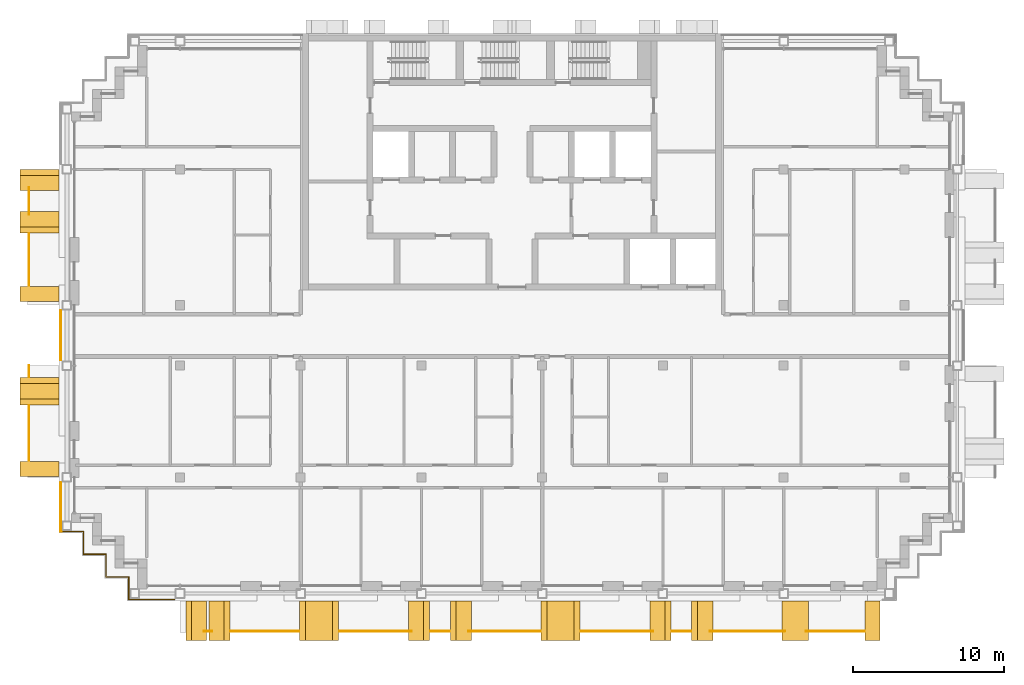
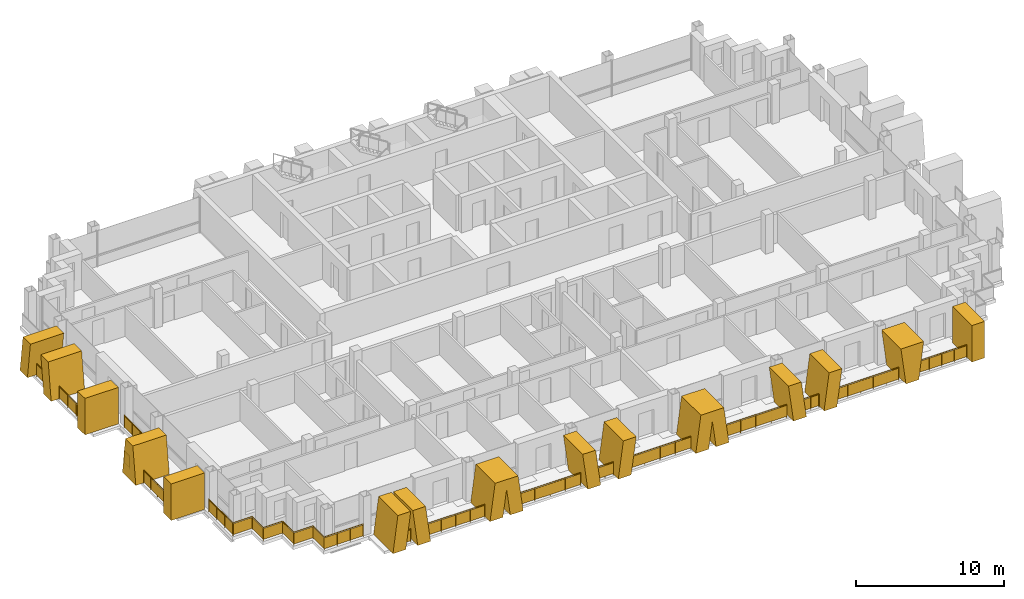
# One storey, part 12 of 15: 16 railings, 15 shading devices.
"""IFC4 building model written with IfcOpenShell, lengths in metres."""

from ifc_helpers import new_model, si_unit, direction, frame, origin, origin_2d, place, context, subcontext, project, spatial, polyline, rectangle, circle, outline, extrude, material, layer, layer_set, type_object, element, save


model = new_model("IFC4")

# Units and contexts
model_context = context("Model", 3, precision=1e-05, world=origin(), true_north=direction((0.0, 1.0)))
body_context = subcontext(model_context, "Body", "Model", "MODEL_VIEW")
ifc_project = project(units=[si_unit("LENGTHUNIT", "METRE"), si_unit("AREAUNIT", "SQUARE_METRE"), si_unit("VOLUMEUNIT", "CUBIC_METRE"), si_unit("PLANEANGLEUNIT", "RADIAN"), si_unit("MASSUNIT", "GRAM", prefix="KILO")], contexts=[model_context])

# Site, building, storey
site_placement = place(None, origin())
site = spatial("IfcSite", under=ifc_project, at=site_placement, CompositionType="ELEMENT")
building_placement = place(site_placement, origin())
building = spatial("IfcBuilding", under=site, at=building_placement, Name="Vidyagriha Tower", CompositionType="ELEMENT")
storey_placement = place(building_placement, frame((0.0, 0.0, 233.199951171875)))
storey = spatial("IfcBuildingStorey", under=building, at=storey_placement, Name="L61", CompositionType="ELEMENT", Elevation=233.199951171875)

# Railings
ifc_material_1 = material(Name="Steel ASTM A500 Grade C black painted", Category="steel")
railing_type_1 = type_object("IfcRailingType", Name="Balcony guard 1100", PredefinedType="BALUSTRADE", material=ifc_material_1)
railing_1_placement = place(storey_placement, frame((-32.0, 9.796630859375, 0.0)))
element("IfcRailing", 1, at=railing_1_placement, inside=storey, type_object=railing_type_1, Name="Balcony guard L61 R16.1-1", PredefinedType="BALUSTRADE", context=body_context, shape_type="SweptSolid", body=[
    extrude(circle(Radius=0.02490234375, at=origin_2d()), frame((0.0, 0.0, 1.0751953125), z_axis=(0.0, -1.0, 0.0), x_axis=(1.0, 0.0, 0.0)), (0.0, 0.0, 1.0), 1.793212890625),
    extrude(circle(Radius=0.02001953125, at=origin_2d()), origin(), (0.0, 0.0, 1.0), 1.050048828125),
    extrude(circle(Radius=0.02001953125, at=origin_2d()), frame((0.0, -0.896484375, 0.0)), (0.0, 0.0, 1.0), 1.050048828125),
    extrude(circle(Radius=0.02001953125, at=origin_2d()), frame((0.0, -1.793212890625, 0.0)), (0.0, 0.0, 1.0), 1.050048828125),
    extrude(rectangle(XDim=0.010009765625, YDim=0.900146484375, at=origin_2d()), frame((0.0, 0.0, 0.550048828125), z_axis=(0.0, -1.0, 0.0), x_axis=(1.0, 0.0, 0.0)), (0.0, 0.0, 1.0), 1.793212890625),
])
railing_2_placement = place(storey_placement, frame((-32.0, 6.75, 0.0)))
element("IfcRailing", 2, at=railing_2_placement, inside=storey, type_object=railing_type_1, Name="Balcony guard L61 R16.1-2", PredefinedType="BALUSTRADE", context=body_context, shape_type="SweptSolid", body=[
    extrude(circle(Radius=0.02490234375, at=origin_2d()), frame((0.0, 0.0, 1.0751953125), z_axis=(0.0, -1.0, 0.0), x_axis=(1.0, 0.0, 0.0)), (0.0, 0.0, 1.0), 3.449951171875),
    extrude(circle(Radius=0.02001953125, at=origin_2d()), origin(), (0.0, 0.0, 1.0), 1.050048828125),
    extrude(circle(Radius=0.02001953125, at=origin_2d()), frame((0.0, -1.14990234375, 0.0)), (0.0, 0.0, 1.0), 1.050048828125),
    extrude(circle(Radius=0.02001953125, at=origin_2d()), frame((0.0, -2.300048828125, 0.0)), (0.0, 0.0, 1.0), 1.050048828125),
    extrude(circle(Radius=0.02001953125, at=origin_2d()), frame((0.0, -3.449951171875, 0.0)), (0.0, 0.0, 1.0), 1.050048828125),
    extrude(rectangle(XDim=0.010009765625, YDim=0.900146484375, at=origin_2d()), frame((0.0, 0.0, 0.550048828125), z_axis=(0.0, -1.0, 0.0), x_axis=(1.0, 0.0, 0.0)), (0.0, 0.0, 1.0), 3.449951171875),
])
railing_3_placement = place(storey_placement, frame((-32.0, -2.0, 0.0)))
element("IfcRailing", 3, at=railing_3_placement, inside=storey, type_object=railing_type_1, Name="Balcony guard L61 R16.2-1", PredefinedType="BALUSTRADE", context=body_context, shape_type="SweptSolid", body=[
    extrude(circle(Radius=0.02490234375, at=origin_2d()), frame((0.0, 0.0, 1.0751953125), z_axis=(0.0, -1.0, 0.0), x_axis=(1.0, 0.0, 0.0)), (0.0, 0.0, 1.0), 0.75),
    extrude(circle(Radius=0.02001953125, at=origin_2d()), origin(), (0.0, 0.0, 1.0), 1.050048828125),
    extrude(circle(Radius=0.02001953125, at=origin_2d()), frame((0.0, -0.75, 0.0)), (0.0, 0.0, 1.0), 1.050048828125),
    extrude(rectangle(XDim=0.010009765625, YDim=0.900146484375, at=origin_2d()), frame((0.0, 0.0, 0.550048828125), z_axis=(0.0, -1.0, 0.0), x_axis=(1.0, 0.0, 0.0)), (0.0, 0.0, 1.0), 0.75),
])
railing_4_placement = place(storey_placement, frame((-32.0, -4.64990234375, 0.0)))
element("IfcRailing", 4, at=railing_4_placement, inside=storey, type_object=railing_type_1, Name="Balcony guard L61 R16.2-2", PredefinedType="BALUSTRADE", context=body_context, shape_type="SweptSolid", body=[
    extrude(circle(Radius=0.02490234375, at=origin_2d()), frame((0.0, 0.0, 1.0751953125), z_axis=(0.0, -1.0, 0.0), x_axis=(1.0, 0.0, 0.0)), (0.0, 0.0, 1.0), 3.650146484375),
    extrude(circle(Radius=0.02001953125, at=origin_2d()), origin(), (0.0, 0.0, 1.0), 1.050048828125),
    extrude(circle(Radius=0.02001953125, at=origin_2d()), frame((0.0, -0.91259765625, 0.0)), (0.0, 0.0, 1.0), 1.050048828125),
    extrude(circle(Radius=0.02001953125, at=origin_2d()), frame((0.0, -1.8251953125, 0.0)), (0.0, 0.0, 1.0), 1.050048828125),
    extrude(circle(Radius=0.02001953125, at=origin_2d()), frame((0.0, -2.737548828125, 0.0)), (0.0, 0.0, 1.0), 1.050048828125),
    extrude(circle(Radius=0.02001953125, at=origin_2d()), frame((0.0, -3.650146484375, 0.0)), (0.0, 0.0, 1.0), 1.050048828125),
    extrude(rectangle(XDim=0.010009765625, YDim=0.900146484375, at=origin_2d()), frame((0.0, 0.0, 0.550048828125), z_axis=(0.0, -1.0, 0.0), x_axis=(1.0, 0.0, 0.0)), (0.0, 0.0, 1.0), 3.650146484375),
])
railing_5_placement = place(storey_placement, frame((-20.41650390625, -19.60009765625, 0.0)))
element("IfcRailing", 5, at=railing_5_placement, inside=storey, type_object=railing_type_1, Name="Balcony guard L61 R23.1-1", PredefinedType="BALUSTRADE", context=body_context, shape_type="SweptSolid", body=[
    extrude(circle(Radius=0.02490234375, at=origin_2d()), frame((0.0, 0.0, 1.0751953125), z_axis=(1.0, 0.0, 0.0), x_axis=(0.0, 1.0, 0.0)), (0.0, 0.0, 1.0), 0.532958984375),
    extrude(circle(Radius=0.02001953125, at=origin_2d()), origin(), (0.0, 0.0, 1.0), 1.050048828125),
    extrude(circle(Radius=0.02001953125, at=origin_2d()), frame((0.532958984375, 0.0, 0.0)), (0.0, 0.0, 1.0), 1.050048828125),
    extrude(rectangle(XDim=0.010009765625, YDim=0.900146484375, at=origin_2d()), frame((0.0, 0.0, 0.550048828125), z_axis=(1.0, 0.0, 0.0), x_axis=(0.0, 1.0, 0.0)), (0.0, 0.0, 1.0), 0.532958984375),
])
railing_6_placement = place(storey_placement, frame((-18.6357421875, -19.60009765625, 0.0)))
element("IfcRailing", 6, at=railing_6_placement, inside=storey, type_object=railing_type_1, Name="Balcony guard L61 R23.1-2", PredefinedType="BALUSTRADE", context=body_context, shape_type="SweptSolid", body=[
    extrude(circle(Radius=0.02490234375, at=origin_2d()), frame((0.0, 0.0, 1.0751953125), z_axis=(1.0, 0.0, 0.0), x_axis=(0.0, 1.0, 0.0)), (0.0, 0.0, 1.0), 4.520751953125),
    extrude(circle(Radius=0.02001953125, at=origin_2d()), origin(), (0.0, 0.0, 1.0), 1.050048828125),
    extrude(circle(Radius=0.02001953125, at=origin_2d()), frame((1.130126953125, 0.0, 0.0)), (0.0, 0.0, 1.0), 1.050048828125),
    extrude(circle(Radius=0.02001953125, at=origin_2d()), frame((2.26025390625, 0.0, 0.0)), (0.0, 0.0, 1.0), 1.050048828125),
    extrude(circle(Radius=0.02001953125, at=origin_2d()), frame((3.390625, 0.0, 0.0)), (0.0, 0.0, 1.0), 1.050048828125),
    extrude(circle(Radius=0.02001953125, at=origin_2d()), frame((4.520751953125, 0.0, 0.0)), (0.0, 0.0, 1.0), 1.050048828125),
    extrude(rectangle(XDim=0.010009765625, YDim=0.900146484375, at=origin_2d()), frame((0.0, 0.0, 0.550048828125), z_axis=(1.0, 0.0, 0.0), x_axis=(0.0, 1.0, 0.0)), (0.0, 0.0, 1.0), 4.520751953125),
])
railing_7_placement = place(storey_placement, frame((-11.43505859375, -19.60009765625, 0.0)))
element("IfcRailing", 7, at=railing_7_placement, inside=storey, type_object=railing_type_1, Name="Balcony guard L61 R23.1-3", PredefinedType="BALUSTRADE", context=body_context, shape_type="SweptSolid", body=[
    extrude(circle(Radius=0.02490234375, at=origin_2d()), frame((0.0, 0.0, 1.0751953125), z_axis=(1.0, 0.0, 0.0), x_axis=(0.0, 1.0, 0.0)), (0.0, 0.0, 1.0), 4.773681640625),
    extrude(circle(Radius=0.02001953125, at=origin_2d()), origin(), (0.0, 0.0, 1.0), 1.050048828125),
    extrude(circle(Radius=0.02001953125, at=origin_2d()), frame((1.193359375, 0.0, 0.0)), (0.0, 0.0, 1.0), 1.050048828125),
    extrude(circle(Radius=0.02001953125, at=origin_2d()), frame((2.38671875, 0.0, 0.0)), (0.0, 0.0, 1.0), 1.050048828125),
    extrude(circle(Radius=0.02001953125, at=origin_2d()), frame((3.580322265625, 0.0, 0.0)), (0.0, 0.0, 1.0), 1.050048828125),
    extrude(circle(Radius=0.02001953125, at=origin_2d()), frame((4.773681640625, 0.0, 0.0)), (0.0, 0.0, 1.0), 1.050048828125),
    extrude(rectangle(XDim=0.010009765625, YDim=0.900146484375, at=origin_2d()), frame((0.0, 0.0, 0.550048828125), z_axis=(1.0, 0.0, 0.0), x_axis=(0.0, 1.0, 0.0)), (0.0, 0.0, 1.0), 4.773681640625),
])
railing_8_placement = place(storey_placement, frame((-5.409912109375, -19.60009765625, 0.0)))
element("IfcRailing", 8, at=railing_8_placement, inside=storey, type_object=railing_type_1, Name="Balcony guard L61 R23.1-4", PredefinedType="BALUSTRADE", context=body_context, shape_type="SweptSolid", body=[
    extrude(circle(Radius=0.02490234375, at=origin_2d()), frame((0.0, 0.0, 1.0751953125), z_axis=(1.0, 0.0, 0.0), x_axis=(0.0, 1.0, 0.0)), (0.0, 0.0, 1.0), 1.27001953125),
    extrude(circle(Radius=0.02001953125, at=origin_2d()), origin(), (0.0, 0.0, 1.0), 1.050048828125),
    extrude(circle(Radius=0.02001953125, at=origin_2d()), frame((0.635009765625, 0.0, 0.0)), (0.0, 0.0, 1.0), 1.050048828125),
    extrude(circle(Radius=0.02001953125, at=origin_2d()), frame((1.27001953125, 0.0, 0.0)), (0.0, 0.0, 1.0), 1.050048828125),
    extrude(rectangle(XDim=0.010009765625, YDim=0.900146484375, at=origin_2d()), frame((0.0, 0.0, 0.550048828125), z_axis=(1.0, 0.0, 0.0), x_axis=(0.0, 1.0, 0.0)), (0.0, 0.0, 1.0), 1.27001953125),
])
for number, where, name in (
    (9, (-2.888671875, -19.60009765625, 0.0), "Balcony guard L61 R23.1-5"),
    (10, (4.56494140625, -19.60009765625, 0.0), "Balcony guard L61 R23.1-6"),
):
    element("IfcRailing", number, at=place(storey_placement, frame(where)), inside=storey, type_object=railing_type_1, Name=name, PredefinedType="BALUSTRADE", context=body_context, shape_type="SweptSolid", body=[
        extrude(circle(Radius=0.02490234375, at=origin_2d()), frame((0.0, 0.0, 1.0751953125), z_axis=(1.0, 0.0, 0.0), x_axis=(0.0, 1.0, 0.0)), (0.0, 0.0, 1.0), 4.773681640625),
        extrude(circle(Radius=0.02001953125, at=origin_2d()), origin(), (0.0, 0.0, 1.0), 1.050048828125),
        extrude(circle(Radius=0.02001953125, at=origin_2d()), frame((1.193359375, 0.0, 0.0)), (0.0, 0.0, 1.0), 1.050048828125),
        extrude(circle(Radius=0.02001953125, at=origin_2d()), frame((2.38671875, 0.0, 0.0)), (0.0, 0.0, 1.0), 1.050048828125),
        extrude(circle(Radius=0.02001953125, at=origin_2d()), frame((3.580322265625, 0.0, 0.0)), (0.0, 0.0, 1.0), 1.050048828125),
        extrude(circle(Radius=0.02001953125, at=origin_2d()), frame((4.773681640625, 0.0, 0.0)), (0.0, 0.0, 1.0), 1.050048828125),
        extrude(rectangle(XDim=0.010009765625, YDim=0.900146484375, at=origin_2d()), frame((0.0, 0.0, 0.550048828125), z_axis=(1.0, 0.0, 0.0), x_axis=(0.0, 1.0, 0.0)), (0.0, 0.0, 1.0), 4.773681640625),
    ])
railing_9_placement = place(storey_placement, frame((10.590087890625, -19.60009765625, 0.0)))
element("IfcRailing", 11, at=railing_9_placement, inside=storey, type_object=railing_type_1, Name="Balcony guard L61 R23.1-7", PredefinedType="BALUSTRADE", context=body_context, shape_type="SweptSolid", body=[
    extrude(circle(Radius=0.02490234375, at=origin_2d()), frame((0.0, 0.0, 1.0751953125), z_axis=(1.0, 0.0, 0.0), x_axis=(0.0, 1.0, 0.0)), (0.0, 0.0, 1.0), 1.27001953125),
    extrude(circle(Radius=0.02001953125, at=origin_2d()), origin(), (0.0, 0.0, 1.0), 1.050048828125),
    extrude(circle(Radius=0.02001953125, at=origin_2d()), frame((0.635009765625, 0.0, 0.0)), (0.0, 0.0, 1.0), 1.050048828125),
    extrude(circle(Radius=0.02001953125, at=origin_2d()), frame((1.27001953125, 0.0, 0.0)), (0.0, 0.0, 1.0), 1.050048828125),
    extrude(rectangle(XDim=0.010009765625, YDim=0.900146484375, at=origin_2d()), frame((0.0, 0.0, 0.550048828125), z_axis=(1.0, 0.0, 0.0), x_axis=(0.0, 1.0, 0.0)), (0.0, 0.0, 1.0), 1.27001953125),
])
railing_10_placement = place(storey_placement, frame((13.111328125, -19.60009765625, 0.0)))
element("IfcRailing", 12, at=railing_10_placement, inside=storey, type_object=railing_type_1, Name="Balcony guard L61 R23.1-8", PredefinedType="BALUSTRADE", context=body_context, shape_type="SweptSolid", body=[
    extrude(circle(Radius=0.02490234375, at=origin_2d()), frame((0.0, 0.0, 1.0751953125), z_axis=(1.0, 0.0, 0.0), x_axis=(0.0, 1.0, 0.0)), (0.0, 0.0, 1.0), 4.967529296875),
    extrude(circle(Radius=0.02001953125, at=origin_2d()), origin(), (0.0, 0.0, 1.0), 1.050048828125),
    extrude(circle(Radius=0.02001953125, at=origin_2d()), frame((0.993408203125, 0.0, 0.0)), (0.0, 0.0, 1.0), 1.050048828125),
    extrude(circle(Radius=0.02001953125, at=origin_2d()), frame((1.987060546875, 0.0, 0.0)), (0.0, 0.0, 1.0), 1.050048828125),
    extrude(circle(Radius=0.02001953125, at=origin_2d()), frame((2.98046875, 0.0, 0.0)), (0.0, 0.0, 1.0), 1.050048828125),
    extrude(circle(Radius=0.02001953125, at=origin_2d()), frame((3.97412109375, 0.0, 0.0)), (0.0, 0.0, 1.0), 1.050048828125),
    extrude(circle(Radius=0.02001953125, at=origin_2d()), frame((4.967529296875, 0.0, 0.0)), (0.0, 0.0, 1.0), 1.050048828125),
    extrude(rectangle(XDim=0.010009765625, YDim=0.900146484375, at=origin_2d()), frame((0.0, 0.0, 0.550048828125), z_axis=(1.0, 0.0, 0.0), x_axis=(0.0, 1.0, 0.0)), (0.0, 0.0, 1.0), 4.967529296875),
])
railing_11_placement = place(storey_placement, frame((19.47119140625, -19.60009765625, 0.0)))
element("IfcRailing", 13, at=railing_11_placement, inside=storey, type_object=railing_type_1, Name="Balcony guard L61 R23.1-9", PredefinedType="BALUSTRADE", context=body_context, shape_type="SweptSolid", body=[
    extrude(circle(Radius=0.02490234375, at=origin_2d()), frame((0.0, 0.0, 1.0751953125), z_axis=(1.0, 0.0, 0.0), x_axis=(0.0, 1.0, 0.0)), (0.0, 0.0, 1.0), 3.87890625),
    extrude(circle(Radius=0.02001953125, at=origin_2d()), origin(), (0.0, 0.0, 1.0), 1.050048828125),
    extrude(circle(Radius=0.02001953125, at=origin_2d()), frame((0.9697265625, 0.0, 0.0)), (0.0, 0.0, 1.0), 1.050048828125),
    extrude(circle(Radius=0.02001953125, at=origin_2d()), frame((1.939453125, 0.0, 0.0)), (0.0, 0.0, 1.0), 1.050048828125),
    extrude(circle(Radius=0.02001953125, at=origin_2d()), frame((2.9091796875, 0.0, 0.0)), (0.0, 0.0, 1.0), 1.050048828125),
    extrude(circle(Radius=0.02001953125, at=origin_2d()), frame((3.87890625, 0.0, 0.0)), (0.0, 0.0, 1.0), 1.050048828125),
    extrude(rectangle(XDim=0.010009765625, YDim=0.900146484375, at=origin_2d()), frame((0.0, 0.0, 0.550048828125), z_axis=(1.0, 0.0, 0.0), x_axis=(0.0, 1.0, 0.0)), (0.0, 0.0, 1.0), 3.87890625),
])

# Shading devices
ifc_material_2 = material(Name="Precast concrete C40/50 with buff brick facing", Category="concrete")
ifc_layer_1 = layer(ifc_material_2, 1.0)
ifc_layer_set_1 = layer_set([ifc_layer_1], Name="Precast concrete C40/50 with buff brick facing")
shading_device_type_1 = type_object("IfcShadingDeviceType", Name="Brick-faced blade fin arm leaning 8 degrees", PredefinedType="USERDEFINED", material=ifc_layer_set_1)
shading_device_1_placement = place(storey_placement, frame((-31.300048828125, 8.199951171875, 0.0), z_axis=(0.0, 0.0, 1.0), x_axis=(0.0, -1.0, 0.0)))
element("IfcShadingDevice", 14, at=shading_device_1_placement, inside=storey, type_object=shading_device_type_1, Name="Leaning blade fin L61 R16.320a", ObjectType="BLADE FIN", PredefinedType="USERDEFINED", context=body_context, shape_type="SweptSolid", body=[
    extrude(outline(polyline([(0.39990234375, 0.0), (1.39990234375, 0.0), (1.0, 3.0), (0.0, 3.0), (0.39990234375, 0.0)])), frame((0.0, 1.300048828125, 0.0), z_axis=(0.0, -1.0, 0.0), x_axis=(1.0, 0.0, 0.0)), (0.0, 0.0, 1.0), 2.60009765625),
])
shading_device_2_placement = place(storey_placement, frame((-31.300048828125, 11.0, 0.0), z_axis=(0.0, 0.0, 1.0), x_axis=(0.0, -1.0, 0.0)))
element("IfcShadingDevice", 15, at=shading_device_2_placement, inside=storey, type_object=shading_device_type_1, Name="Leaning blade fin L61 R16.320b", ObjectType="BLADE FIN", PredefinedType="USERDEFINED", context=body_context, shape_type="SweptSolid", body=[
    extrude(outline(polyline([(0.0, 0.0), (1.0, 0.0), (1.39990234375, 3.0), (0.39990234375, 3.0), (0.0, 0.0)])), frame((0.0, 1.300048828125, 0.0), z_axis=(0.0, -1.0, 0.0), x_axis=(1.0, 0.0, 0.0)), (0.0, 0.0, 1.0), 2.60009765625),
])
shading_device_3_placement = place(storey_placement, frame((-20.0712890625, -18.89990234375, 0.0)))
element("IfcShadingDevice", 16, at=shading_device_3_placement, inside=storey, type_object=shading_device_type_1, Name="Leaning blade fin L61 R23.220a", ObjectType="BLADE FIN", PredefinedType="USERDEFINED", context=body_context, shape_type="SweptSolid", body=[
    extrude(outline(polyline([(0.3857421875, 0.0), (1.3857421875, 0.0), (1.0, 3.0), (0.0, 3.0), (0.3857421875, 0.0)])), frame((0.0, 1.300048828125, 0.0), z_axis=(0.0, -1.0, 0.0), x_axis=(1.0, 0.0, 0.0)), (0.0, 0.0, 1.0), 2.60009765625),
])
shading_device_4_placement = place(storey_placement, frame((-21.6142578125, -18.89990234375, 0.0)))
element("IfcShadingDevice", 17, at=shading_device_4_placement, inside=storey, type_object=shading_device_type_1, Name="Leaning blade fin L61 R23.220b", ObjectType="BLADE FIN", PredefinedType="USERDEFINED", context=body_context, shape_type="SweptSolid", body=[
    extrude(outline(polyline([(0.0, 0.0), (1.0, 0.0), (1.3857421875, 3.0), (0.3857421875, 3.0), (0.0, 0.0)])), frame((0.0, 1.300048828125, 0.0), z_axis=(0.0, -1.0, 0.0), x_axis=(1.0, 0.0, 0.0)), (0.0, 0.0, 1.0), 2.60009765625),
])
shading_device_5_placement = place(storey_placement, frame((-4.090087890625, -18.89990234375, 0.0)))
element("IfcShadingDevice", 18, at=shading_device_5_placement, inside=storey, type_object=shading_device_type_1, Name="Leaning blade fin L61 R23.1820a", ObjectType="BLADE FIN", PredefinedType="USERDEFINED", context=body_context, shape_type="SweptSolid", body=[
    extrude(outline(polyline([(0.0, 0.0), (1.0, 0.0), (1.39501953125, 3.0), (0.39501953125, 3.0), (0.0, 0.0)])), frame((0.0, 1.300048828125, 0.0), z_axis=(0.0, -1.0, 0.0), x_axis=(1.0, 0.0, 0.0)), (0.0, 0.0, 1.0), 2.60009765625),
])
shading_device_6_placement = place(storey_placement, frame((-6.85498046875, -18.89990234375, 0.0)))
element("IfcShadingDevice", 19, at=shading_device_6_placement, inside=storey, type_object=shading_device_type_1, Name="Leaning blade fin L61 R23.1820b", ObjectType="BLADE FIN", PredefinedType="USERDEFINED", context=body_context, shape_type="SweptSolid", body=[
    extrude(outline(polyline([(0.39501953125, 0.0), (1.39501953125, 0.0), (1.0, 3.0), (0.0, 3.0), (0.39501953125, 0.0)])), frame((0.0, 1.300048828125, 0.0), z_axis=(0.0, -1.0, 0.0), x_axis=(1.0, 0.0, 0.0)), (0.0, 0.0, 1.0), 2.60009765625),
])
shading_device_7_placement = place(storey_placement, frame((11.909912109375, -18.89990234375, 0.0)))
element("IfcShadingDevice", 20, at=shading_device_7_placement, inside=storey, type_object=shading_device_type_1, Name="Leaning blade fin L61 R23.3420a", ObjectType="BLADE FIN", PredefinedType="USERDEFINED", context=body_context, shape_type="SweptSolid", body=[
    extrude(outline(polyline([(0.0, 0.0), (1.0, 0.0), (1.39501953125, 3.0), (0.39501953125, 3.0), (0.0, 0.0)])), frame((0.0, 1.300048828125, 0.0), z_axis=(0.0, -1.0, 0.0), x_axis=(1.0, 0.0, 0.0)), (0.0, 0.0, 1.0), 2.60009765625),
])
shading_device_8_placement = place(storey_placement, frame((9.14501953125, -18.89990234375, 0.0)))
element("IfcShadingDevice", 21, at=shading_device_8_placement, inside=storey, type_object=shading_device_type_1, Name="Leaning blade fin L61 R23.3420b", ObjectType="BLADE FIN", PredefinedType="USERDEFINED", context=body_context, shape_type="SweptSolid", body=[
    extrude(outline(polyline([(0.39501953125, 0.0), (1.39501953125, 0.0), (1.0, 3.0), (0.0, 3.0), (0.39501953125, 0.0)])), frame((0.0, 1.300048828125, 0.0), z_axis=(0.0, -1.0, 0.0), x_axis=(1.0, 0.0, 0.0)), (0.0, 0.0, 1.0), 2.60009765625),
])
ifc_material_3 = material(Name="Precast concrete C40/50 with buff brick facing", Category="concrete")
ifc_layer_2 = layer(ifc_material_3, 1.0)
ifc_layer_set_2 = layer_set([ifc_layer_2], Name="Precast concrete C40/50 with buff brick facing")
shading_device_type_2 = type_object("IfcShadingDeviceType", Name="Brick-faced blade fin forking 8 degrees", PredefinedType="USERDEFINED", material=ifc_layer_set_2)
shading_device_9_placement = place(storey_placement, frame((-31.300048828125, -2.800048828125, 0.0), z_axis=(0.0, 0.0, 1.0), x_axis=(0.0, -1.0, 0.0)))
element("IfcShadingDevice", 22, at=shading_device_9_placement, inside=storey, type_object=shading_device_type_2, Name="Forked blade fin L61 R16.1620a", ObjectType="BLADE FIN", PredefinedType="USERDEFINED", context=body_context, shape_type="SweptSolid", body=[
    extrude(outline(polyline([(0.0, 0.0), (1.800048828125, 0.0), (1.39990234375, 3.0), (0.39990234375, 3.0), (0.0, 0.0)])), frame((0.0, 1.300048828125, 0.0), z_axis=(0.0, -1.0, 0.0), x_axis=(1.0, 0.0, 0.0)), (0.0, 0.0, 1.0), 2.60009765625),
])
for number, where, name in (
    (23, (-14.06494140625, -18.89990234375, 0.0), "Forked blade fin L61 R23.1020a"),
    (24, (1.93505859375, -18.89990234375, 0.0), "Forked blade fin L61 R23.2620a"),
):
    element("IfcShadingDevice", number, at=place(storey_placement, frame(where)), inside=storey, type_object=shading_device_type_2, Name=name, ObjectType="BLADE FIN", PredefinedType="USERDEFINED", context=body_context, shape_type="SweptSolid", body=[
        extrude(outline(polyline([(1.0, 0.0), (1.2900390625, 2.20263671875), (1.580078125, 0.0), (2.580078125, 0.0), (2.18505859375, 3.0), (0.39501953125, 3.0), (0.0, 0.0), (1.0, 0.0)])), frame((0.0, 1.300048828125, 0.0), z_axis=(0.0, -1.0, 0.0), x_axis=(1.0, 0.0, 0.0)), (0.0, 0.0, 1.0), 2.60009765625),
    ])
shading_device_10_placement = place(storey_placement, frame((17.893798828125, -18.89990234375, 0.0)))
element("IfcShadingDevice", 25, at=shading_device_10_placement, inside=storey, type_object=shading_device_type_2, Name="Forked blade fin L61 R23.4220a", ObjectType="BLADE FIN", PredefinedType="USERDEFINED", context=body_context, shape_type="SweptSolid", body=[
    extrude(outline(polyline([(0.381103515625, 0.0), (1.381103515625, 0.0), (1.762451171875, 3.0), (0.0, 3.0), (0.381103515625, 0.0)])), frame((0.0, 1.300048828125, 0.0), z_axis=(0.0, -1.0, 0.0), x_axis=(1.0, 0.0, 0.0)), (0.0, 0.0, 1.0), 2.60009765625),
])
ifc_material_4 = material(Name="Precast concrete C40/50 with buff brick facing", Category="concrete")
ifc_layer_3 = layer(ifc_material_4, 1.0)
ifc_layer_set_3 = layer_set([ifc_layer_3], Name="Precast concrete C40/50 with buff brick facing")
shading_device_type_3 = type_object("IfcShadingDeviceType", Name="Brick-faced blade fin stem 1000", PredefinedType="USERDEFINED", material=ifc_layer_set_3)
for number, where, z_axis, x_axis, name in (
    (26, (-31.300048828125, 3.25, 0.0), (0.0, 0.0, 1.0), (0.0, -1.0, 0.0), "Stem blade fin L61 R16.1220a"),
    (27, (-31.300048828125, -8.35009765625, 0.0), (0.0, 0.0, 1.0), (0.0, -1.0, 0.0), "Stem blade fin L61 R16.2360a"),
):
    element("IfcShadingDevice", number, at=place(storey_placement, frame(where, z_axis=z_axis, x_axis=x_axis)), inside=storey, type_object=shading_device_type_3, Name=name, ObjectType="BLADE FIN", PredefinedType="USERDEFINED", context=body_context, shape_type="SweptSolid", body=[
        extrude(outline(polyline([(0.0, 0.0), (1.0, 0.0), (1.0, 3.0), (0.0, 3.0), (0.0, 0.0)])), frame((0.0, 1.300048828125, 0.0), z_axis=(0.0, -1.0, 0.0), x_axis=(1.0, 0.0, 0.0)), (0.0, 0.0, 1.0), 2.60009765625),
    ])
shading_device_11_placement = place(storey_placement, frame((23.39990234375, -18.89990234375, 0.0)))
element("IfcShadingDevice", 28, at=shading_device_11_placement, inside=storey, type_object=shading_device_type_3, Name="Stem blade fin L61 R23.4840a", ObjectType="BLADE FIN", PredefinedType="USERDEFINED", context=body_context, shape_type="SweptSolid", body=[
    extrude(outline(polyline([(0.0, 0.0), (1.0, 0.0), (1.0, 3.0), (0.0, 3.0), (0.0, 0.0)])), frame((0.0, 1.300048828125, 0.0), z_axis=(0.0, -1.0, 0.0), x_axis=(1.0, 0.0, 0.0)), (0.0, 0.0, 1.0), 2.60009765625),
])

# Railings
ifc_material_5 = material(Name="Steel ASTM A500 Grade C black painted", Category="steel")
railing_type_2 = type_object("IfcRailingType", Name="Gallery guard 1100", PredefinedType="GUARDRAIL", material=ifc_material_5)
railing_12_placement = place(storey_placement, frame((-22.360107421875, -17.5, 0.0)))
element("IfcRailing", 29, at=railing_12_placement, inside=storey, type_object=railing_type_2, Name="Gallery guard L61 1", PredefinedType="GUARDRAIL", context=body_context, shape_type="SweptSolid", body=[
    extrude(circle(Radius=0.02490234375, at=origin_2d()), frame((0.0, 0.0, 1.0751953125), z_axis=(-1.0, 0.0, 0.0), x_axis=(0.0, -1.0, 0.0)), (0.0, 0.0, 1.0), 3.039794921875),
    extrude(circle(Radius=0.02490234375, at=origin_2d()), frame((-3.039794921875, 0.0, 1.0751953125), z_axis=(0.0, 1.0, 0.0), x_axis=(-1.0, 0.0, 0.0)), (0.0, 0.0, 1.0), 1.5),
    extrude(circle(Radius=0.02490234375, at=origin_2d()), frame((-3.039794921875, 1.5, 1.0751953125), z_axis=(-1.0, 0.0, 0.0), x_axis=(0.0, -1.0, 0.0)), (0.0, 0.0, 1.0), 1.5),
    extrude(circle(Radius=0.02490234375, at=origin_2d()), frame((-4.539794921875, 1.5, 1.0751953125), z_axis=(0.0, 1.0, 0.0), x_axis=(-1.0, 0.0, 0.0)), (0.0, 0.0, 1.0), 1.5),
    extrude(circle(Radius=0.02490234375, at=origin_2d()), frame((-4.539794921875, 3.0, 1.0751953125), z_axis=(-1.0, 0.0, 0.0), x_axis=(0.0, -1.0, 0.0)), (0.0, 0.0, 1.0), 1.5),
    extrude(circle(Radius=0.02490234375, at=origin_2d()), frame((-6.039794921875, 3.0, 1.0751953125), z_axis=(0.0, 1.0, 0.0), x_axis=(-1.0, 0.0, 0.0)), (0.0, 0.0, 1.0), 1.5),
    extrude(circle(Radius=0.02490234375, at=origin_2d()), frame((-6.039794921875, 4.5, 1.0751953125), z_axis=(-1.0, 0.0, 0.0), x_axis=(0.0, -1.0, 0.0)), (0.0, 0.0, 1.0), 1.460205078125),
    extrude(circle(Radius=0.02001953125, at=origin_2d()), origin(), (0.0, 0.0, 1.0), 1.050048828125),
    extrude(circle(Radius=0.02001953125, at=origin_2d()), frame((-1.01318359375, 0.0, 0.0)), (0.0, 0.0, 1.0), 1.050048828125),
    extrude(circle(Radius=0.02001953125, at=origin_2d()), frame((-2.026611328125, 0.0, 0.0)), (0.0, 0.0, 1.0), 1.050048828125),
    extrude(circle(Radius=0.02001953125, at=origin_2d()), frame((-3.039794921875, 0.0, 0.0)), (0.0, 0.0, 1.0), 1.050048828125),
    extrude(circle(Radius=0.02001953125, at=origin_2d()), frame((-3.039794921875, 1.5, 0.0)), (0.0, 0.0, 1.0), 1.050048828125),
    extrude(circle(Radius=0.02001953125, at=origin_2d()), frame((-4.539794921875, 1.5, 0.0)), (0.0, 0.0, 1.0), 1.050048828125),
    extrude(circle(Radius=0.02001953125, at=origin_2d()), frame((-4.539794921875, 3.0, 0.0)), (0.0, 0.0, 1.0), 1.050048828125),
    extrude(circle(Radius=0.02001953125, at=origin_2d()), frame((-6.039794921875, 3.0, 0.0)), (0.0, 0.0, 1.0), 1.050048828125),
    extrude(circle(Radius=0.02001953125, at=origin_2d()), frame((-6.039794921875, 4.5, 0.0)), (0.0, 0.0, 1.0), 1.050048828125),
    extrude(circle(Radius=0.02001953125, at=origin_2d()), frame((-7.5, 4.5, 0.0)), (0.0, 0.0, 1.0), 1.050048828125),
    extrude(rectangle(XDim=0.010009765625, YDim=0.900146484375, at=origin_2d()), frame((0.0, 0.0, 0.550048828125), z_axis=(-1.0, 0.0, 0.0), x_axis=(0.0, -1.0, 0.0)), (0.0, 0.0, 1.0), 3.039794921875),
    extrude(rectangle(XDim=0.010009765625, YDim=0.900146484375, at=origin_2d()), frame((-3.039794921875, 0.0, 0.550048828125), z_axis=(0.0, 1.0, 0.0), x_axis=(-1.0, 0.0, 0.0)), (0.0, 0.0, 1.0), 1.5),
    extrude(rectangle(XDim=0.010009765625, YDim=0.900146484375, at=origin_2d()), frame((-3.039794921875, 1.5, 0.550048828125), z_axis=(-1.0, 0.0, 0.0), x_axis=(0.0, -1.0, 0.0)), (0.0, 0.0, 1.0), 1.5),
    extrude(rectangle(XDim=0.010009765625, YDim=0.900146484375, at=origin_2d()), frame((-4.539794921875, 1.5, 0.550048828125), z_axis=(0.0, 1.0, 0.0), x_axis=(-1.0, 0.0, 0.0)), (0.0, 0.0, 1.0), 1.5),
    extrude(rectangle(XDim=0.010009765625, YDim=0.900146484375, at=origin_2d()), frame((-4.539794921875, 3.0, 0.550048828125), z_axis=(-1.0, 0.0, 0.0), x_axis=(0.0, -1.0, 0.0)), (0.0, 0.0, 1.0), 1.5),
    extrude(rectangle(XDim=0.010009765625, YDim=0.900146484375, at=origin_2d()), frame((-6.039794921875, 3.0, 0.550048828125), z_axis=(0.0, 1.0, 0.0), x_axis=(-1.0, 0.0, 0.0)), (0.0, 0.0, 1.0), 1.5),
    extrude(rectangle(XDim=0.010009765625, YDim=0.900146484375, at=origin_2d()), frame((-6.039794921875, 4.5, 0.550048828125), z_axis=(-1.0, 0.0, 0.0), x_axis=(0.0, -1.0, 0.0)), (0.0, 0.0, 1.0), 1.460205078125),
])
railing_13_placement = place(storey_placement, frame((-29.860107421875, -13.0, 0.0)))
element("IfcRailing", 30, at=railing_13_placement, inside=storey, type_object=railing_type_2, Name="Gallery guard L61 2", PredefinedType="GUARDRAIL", context=body_context, shape_type="SweptSolid", body=[
    extrude(circle(Radius=0.02490234375, at=origin_2d()), frame((0.0, 0.0, 1.0751953125), z_axis=(-1.0, 0.0, 0.0), x_axis=(0.0, -1.0, 0.0)), (0.0, 0.0, 1.0), 0.039794921875),
    extrude(circle(Radius=0.02490234375, at=origin_2d()), frame((-0.039794921875, 0.0, 1.0751953125), z_axis=(0.0, 1.0, 0.0), x_axis=(-1.0, 0.0, 0.0)), (0.0, 0.0, 1.0), 3.239990234375),
    extrude(circle(Radius=0.02001953125, at=origin_2d()), origin(), (0.0, 0.0, 1.0), 1.050048828125),
    extrude(circle(Radius=0.02001953125, at=origin_2d()), frame((-0.039794921875, 0.0, 0.0)), (0.0, 0.0, 1.0), 1.050048828125),
    extrude(circle(Radius=0.02001953125, at=origin_2d()), frame((-0.039794921875, 1.080078125, 0.0)), (0.0, 0.0, 1.0), 1.050048828125),
    extrude(circle(Radius=0.02001953125, at=origin_2d()), frame((-0.039794921875, 2.159912109375, 0.0)), (0.0, 0.0, 1.0), 1.050048828125),
    extrude(circle(Radius=0.02001953125, at=origin_2d()), frame((-0.039794921875, 3.239990234375, 0.0)), (0.0, 0.0, 1.0), 1.050048828125),
    extrude(rectangle(XDim=0.010009765625, YDim=0.900146484375, at=origin_2d()), frame((0.0, 0.0, 0.550048828125), z_axis=(-1.0, 0.0, 0.0), x_axis=(0.0, -1.0, 0.0)), (0.0, 0.0, 1.0), 0.039794921875),
    extrude(rectangle(XDim=0.010009765625, YDim=0.900146484375, at=origin_2d()), frame((-0.039794921875, 0.0, 0.550048828125), z_axis=(0.0, 1.0, 0.0), x_axis=(-1.0, 0.0, 0.0)), (0.0, 0.0, 1.0), 3.239990234375),
])
railing_14_placement = place(storey_placement, frame((-29.89990234375, -1.639892578125, 0.0)))
element("IfcRailing", 31, at=railing_14_placement, inside=storey, type_object=railing_type_2, Name="Gallery guard L61 3", PredefinedType="GUARDRAIL", context=body_context, shape_type="SweptSolid", body=[
    extrude(circle(Radius=0.02490234375, at=origin_2d()), frame((0.0, 0.0, 1.0751953125), z_axis=(0.0, 1.0, 0.0), x_axis=(-1.0, 0.0, 0.0)), (0.0, 0.0, 1.0), 3.27978515625),
    extrude(circle(Radius=0.02001953125, at=origin_2d()), origin(), (0.0, 0.0, 1.0), 1.050048828125),
    extrude(circle(Radius=0.02001953125, at=origin_2d()), frame((0.0, 1.09326171875, 0.0)), (0.0, 0.0, 1.0), 1.050048828125),
    extrude(circle(Radius=0.02001953125, at=origin_2d()), frame((0.0, 2.1865234375, 0.0)), (0.0, 0.0, 1.0), 1.050048828125),
    extrude(circle(Radius=0.02001953125, at=origin_2d()), frame((0.0, 3.27978515625, 0.0)), (0.0, 0.0, 1.0), 1.050048828125),
    extrude(rectangle(XDim=0.010009765625, YDim=0.900146484375, at=origin_2d()), frame((0.0, 0.0, 0.550048828125), z_axis=(0.0, 1.0, 0.0), x_axis=(-1.0, 0.0, 0.0)), (0.0, 0.0, 1.0), 3.27978515625),
])

save(model, "model.ifc")
